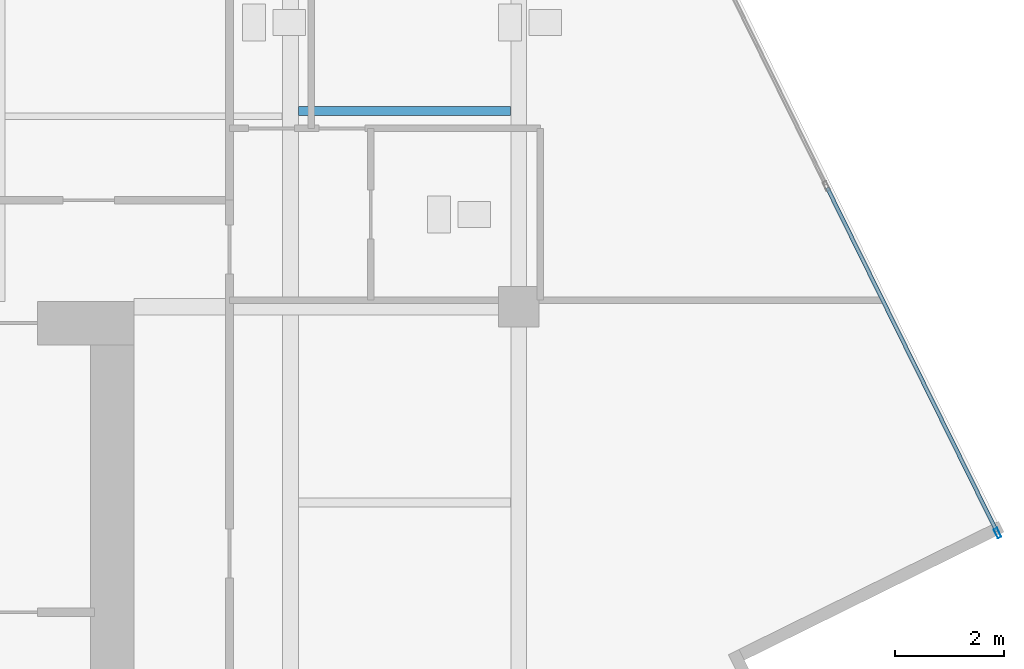
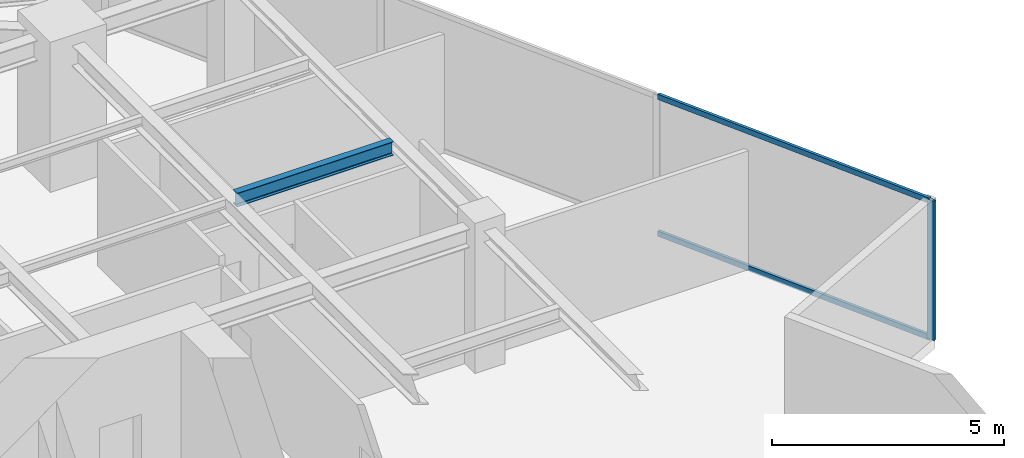
# One storey, part 10 of 22: 3 members, 1 beam, 1 element without a shape of its own.
"""IFC4 building model written with IfcOpenShell, lengths in metres."""

from ifc_helpers import new_model, si_unit, direction, frame, origin, origin_2d, place, context, subcontext, project, spatial, hollow_rectangle, i_section, extrude, source, transform, mapped, material, material_profile, profile_set, type_object, type_shapes, element, aggregate, save


model = new_model("IFC4")

# Units and contexts
model_context = context("Model", 3, precision=1e-05, world=origin(), true_north=direction((0.0, 1.0)))
body_context = subcontext(model_context, "Body", "Model", "MODEL_VIEW")
ifc_project = project(units=[si_unit("LENGTHUNIT", "METRE"), si_unit("AREAUNIT", "SQUARE_METRE"), si_unit("VOLUMEUNIT", "CUBIC_METRE"), si_unit("PLANEANGLEUNIT", "RADIAN"), si_unit("MASSUNIT", "GRAM", prefix="KILO")], contexts=[model_context])

# Site, building, storey
site_placement = place(None, origin())
site = spatial("IfcSite", under=ifc_project, at=site_placement, CompositionType="ELEMENT")
building_placement = place(site_placement, origin())
building = spatial("IfcBuilding", under=site, at=building_placement, Name="Krantzveldt Concourse Tower", CompositionType="ELEMENT")
storey_placement = place(building_placement, frame((0.0, 0.0, 310.85009765625)))
storey = spatial("IfcBuildingStorey", under=building, at=storey_placement, Name="L76", CompositionType="ELEMENT", Elevation=310.85009765625)

# Beam
ifc_material_1 = material(Name="Steel S355JR", Category="steel")
ifc_material_profile_1 = material_profile(ifc_material_1, i_section(OverallWidth=0.169921875, OverallDepth=0.360107421875, WebThickness=0.008056640625, FlangeThickness=0.0126953125, FilletRadius=0.01806640625, at=origin_2d()), Name="Steel S355JR", Category="steel")
ifc_profile_set_1 = profile_set([ifc_material_profile_1], Name="Steel S355JR - IPE 360")
beam_type = type_object("IfcBeamType", Name="BM-J-IPE360", PredefinedType="JOIST", material=ifc_profile_set_1)
shared_shape_1 = source(origin(), body_context, "Body", "SweptSolid", [
    extrude(i_section(OverallWidth=0.169921875, OverallDepth=0.360107421875, WebThickness=0.008056640625, FlangeThickness=0.0126953125, FilletRadius=0.01806640625, at=origin_2d()), origin(), (0.0, 0.0, 1.0), 3.900146484375),
])
type_shapes(beam_type, [shared_shape_1])
beam_placement = place(storey_placement, frame((46.949951171875, 30.300048828125, 3.489990234375), z_axis=(1.0, 0.0, 0.0), x_axis=(0.0, 1.0, 0.0)))
element("IfcBeam", 1, at=beam_placement, inside=storey, type_object=beam_type, Name="L76 Secondary Floor Joist JE-3", PredefinedType="JOIST", context=body_context, shape_type="MappedRepresentation", body=[
    mapped(shared_shape_1, transform((0.0, 0.0, 0.0), x_axis=(1.0, 0.0, 0.0), y_axis=(0.0, 1.0, 0.0), z_axis=(0.0, 0.0, 1.0), scale=1.0)),
])

# Curtain wall, members
ifc_material_2 = material(Name="Anodised aluminium 6063-T6", Category="aluminium")
curtain_wall_type = type_object("IfcCurtainWallType", Name="CW4", PredefinedType="USERDEFINED", material=ifc_material_2)
curtain_wall_placement = place(storey_placement, origin())
curtain_wall = element("IfcCurtainWall", 2, at=curtain_wall_placement, inside=storey, type_object=curtain_wall_type, Name="CW-L76-F10", ObjectType="UNITISED CURTAIN WALL", PredefinedType="USERDEFINED")
ifc_material_profile_2 = material_profile(ifc_material_2, hollow_rectangle(XDim=0.070068359375, YDim=0.179931640625, WallThickness=0.0048828125, at=origin_2d()), Name="Anodised aluminium 6063-T6", Category="aluminium")
ifc_profile_set_2 = profile_set([ifc_material_profile_2], Name="Anodised aluminium 6063-T6 - ALU-MULL 180x70x5")
member_type_1 = type_object("IfcMemberType", Name="CW-MUL-180", PredefinedType="MULLION", material=ifc_profile_set_2)
shared_shape_2 = source(origin(), body_context, "Body", "SweptSolid", [
    extrude(hollow_rectangle(XDim=0.070068359375, YDim=0.179931640625, WallThickness=0.0048828125, at=origin_2d()), origin(), (0.0, 0.0, 1.0), 3.669921875),
])
type_shapes(member_type_1, [shared_shape_2])
member_1_placement = place(storey_placement, frame((59.80712890625, 22.53515625, 0.0), z_axis=(0.0, 0.0, 1.0), x_axis=(-0.896872829457, -0.442288511927, 0.0)))
member_1 = element("IfcMember", 3, at=member_1_placement, type_object=member_type_1, Name="CW-Z56 mullion 1", PredefinedType="MULLION", context=body_context, shape_type="MappedRepresentation", body=[
    mapped(shared_shape_2, transform((0.0, 0.0, 0.0), x_axis=(1.0, 0.0, 0.0), y_axis=(0.0, 1.0, 0.0), z_axis=(0.0, 0.0, 1.0), scale=1.0)),
])
ifc_material_profile_3 = material_profile(ifc_material_2, hollow_rectangle(XDim=0.070068359375, YDim=0.139892578125, WallThickness=0.0048828125, at=origin_2d()), Name="Anodised aluminium 6063-T6", Category="aluminium")
ifc_profile_set_3 = profile_set([ifc_material_profile_3], Name="Anodised aluminium 6063-T6 - ALU-TRAN 140x70x5")
member_type_2 = type_object("IfcMemberType", Name="CW-TRN-150", PredefinedType="USERDEFINED", material=ifc_profile_set_3)
shared_shape_3 = source(origin(), body_context, "Body", "SweptSolid", [
    extrude(hollow_rectangle(XDim=0.070068359375, YDim=0.139892578125, WallThickness=0.0048828125, at=origin_2d()), origin(), (0.0, 0.0, 1.0), 7.044921875),
])
type_shapes(member_type_2, [shared_shape_3])
member_2_placement = place(storey_placement, frame((59.791748046875, 22.566650390625, 0.034912109375), z_axis=(-0.442299739391, 0.896867292599, 0.0), x_axis=(-0.896867292599, -0.442299739391, 0.0)))
member_2 = element("IfcMember", 4, at=member_2_placement, type_object=member_type_2, Name="CW-Z56 transom 1.1", ObjectType="TRANSOM", PredefinedType="USERDEFINED", context=body_context, shape_type="MappedRepresentation", body=[
    mapped(shared_shape_3, transform((0.0, 0.0, 0.0), x_axis=(1.0, 0.0, 0.0), y_axis=(0.0, 1.0, 0.0), z_axis=(0.0, 0.0, 1.0), scale=1.0)),
])
member_3_placement = place(storey_placement, frame((59.791748046875, 22.566650390625, 3.635009765625), z_axis=(-0.442299739391, 0.896867292599, 0.0), x_axis=(-0.896867292599, -0.442299739391, 0.0)))
member_3 = element("IfcMember", 5, at=member_3_placement, type_object=member_type_2, Name="CW-Z56 transom 1.2", ObjectType="TRANSOM", PredefinedType="USERDEFINED", context=body_context, shape_type="MappedRepresentation", body=[
    mapped(shared_shape_3, transform((0.0, 0.0, 0.0), x_axis=(1.0, 0.0, 0.0), y_axis=(0.0, 1.0, 0.0), z_axis=(0.0, 0.0, 1.0), scale=1.0)),
])
aggregate(curtain_wall, [member_1, member_2, member_3])

save(model, "model.ifc")
